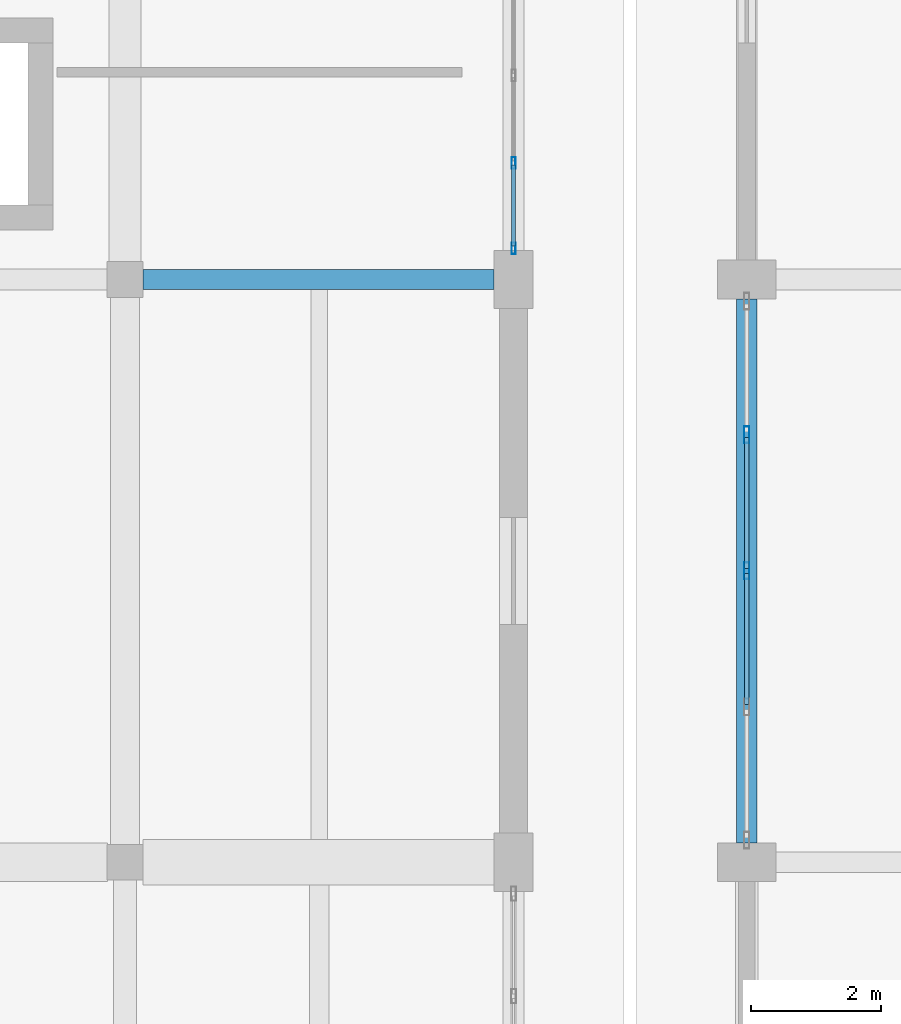
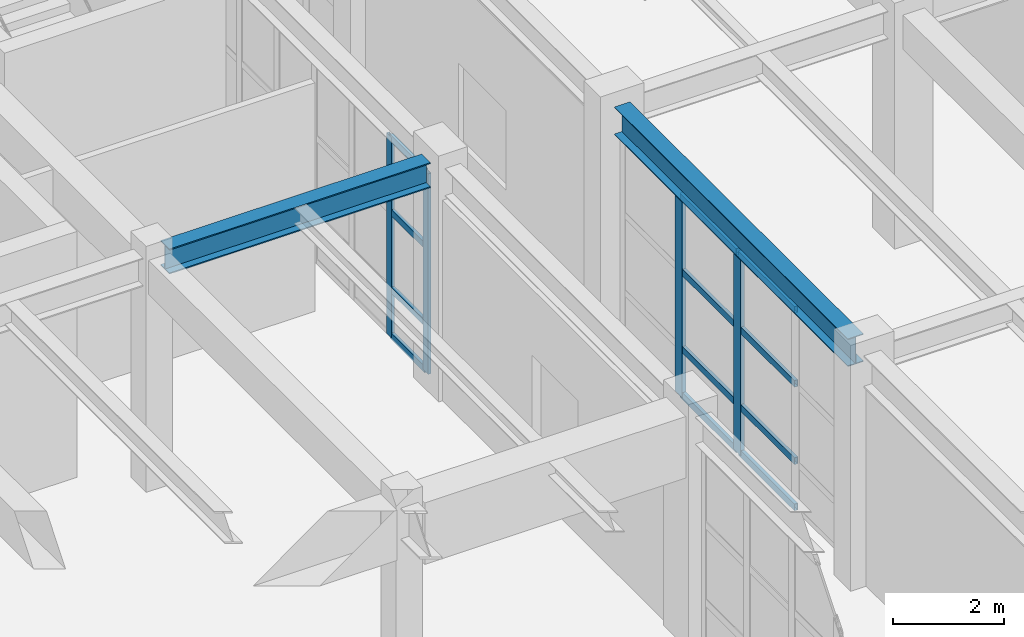
# One storey, part 13 of 91: 16 members, 2 beams, 2 elements without a shape of their own.
"""IFC4 building model written with IfcOpenShell, lengths in metres."""

from ifc_helpers import new_model, si_unit, direction, frame, origin, origin_2d, place, context, subcontext, project, spatial, hollow_rectangle, i_section, extrude, material, layer, layer_set, material_profile, profile_set, type_object, element, aggregate, save


model = new_model("IFC4")

# Units and contexts
model_context = context("Model", 3, precision=1e-05, world=origin(), true_north=direction((0.0, 1.0)))
body_context = subcontext(model_context, "Body", "Model", "MODEL_VIEW")
ifc_project = project(units=[si_unit("LENGTHUNIT", "METRE"), si_unit("AREAUNIT", "SQUARE_METRE"), si_unit("VOLUMEUNIT", "CUBIC_METRE"), si_unit("PLANEANGLEUNIT", "RADIAN"), si_unit("MASSUNIT", "GRAM", prefix="KILO")], contexts=[model_context])

# Site, building, storey
site_placement = place(None, origin())
site = spatial("IfcSite", under=ifc_project, at=site_placement, CompositionType="ELEMENT")
building_placement = place(site_placement, origin())
building = spatial("IfcBuilding", under=site, at=building_placement, Name="Vaelkrest Opera House", CompositionType="ELEMENT")
storey_placement = place(building_placement, origin())
storey = spatial("IfcBuildingStorey", under=building, at=storey_placement, Name="L00", CompositionType="ELEMENT", Elevation=0.0)

# Beam
ifc_material_1 = material(Name="Steel A992 Gr50", Category="steel")
ifc_material_profile_1 = material_profile(ifc_material_1, i_section(OverallWidth=0.31494140625, OverallDepth=0.551025390625, WebThickness=0.01513671875, FlangeThickness=0.0244140625, at=origin_2d()), Name="W21X122")
ifc_profile_set_1 = profile_set([ifc_material_profile_1], Name="Steel A992 Gr50")
beam_type_1 = type_object("IfcBeamType", Name="B20", PredefinedType="BEAM", material=ifc_profile_set_1)
beam_1_placement = place(storey_placement, frame((-39.324951171875, 1.199951171875, 4.804443359375), z_axis=(1.0, 0.0, 0.0), x_axis=(0.0, 1.0, 0.0)))
element("IfcBeam", 1, at=beam_1_placement, inside=storey, type_object=beam_type_1, Name="Beam BM-V3-L00-1396", PredefinedType="BEAM", context=body_context, shape_type="SweptSolid", body=[
    extrude(i_section(OverallWidth=0.31494140625, OverallDepth=0.551025390625, WebThickness=0.01513671875, FlangeThickness=0.0244140625, at=origin_2d()), origin(), (0.0, 0.0, 1.0), 5.425048828125),
])

# Curtain wall, members
ifc_material_2 = material(Name="Dark bronze anodized aluminium", Category="aluminium")
ifc_layer_1 = layer(ifc_material_2, 0.179931640625)
ifc_layer_set_1 = layer_set([ifc_layer_1], Name="Dark bronze anodized aluminium")
curtain_wall_type_1 = type_object("IfcCurtainWallType", Name="CW01", PredefinedType="NOTDEFINED", material=ifc_layer_set_1)
curtain_wall_1_placement = place(storey_placement, origin())
curtain_wall_1 = element("IfcCurtainWall", 2, at=curtain_wall_1_placement, inside=storey, type_object=curtain_wall_type_1, Name="Curtain wall CW-L00-097", PredefinedType="NOTDEFINED")
ifc_material_profile_2 = material_profile(ifc_material_2, hollow_rectangle(XDim=0.06494140625, YDim=0.179931640625, WallThickness=0.00390625, at=origin_2d()), Name="CWM65X180")
ifc_profile_set_2 = profile_set([ifc_material_profile_2], Name="Dark bronze anodized aluminium")
member_type_1 = type_object("IfcMemberType", Name="CWM01", PredefinedType="MULLION", material=ifc_profile_set_2)
member_1_placement = place(storey_placement, frame((-33.60009765625, 2.998779296875, 0.0), z_axis=(0.0, 0.0, 1.0), x_axis=(1.0, 0.0, 0.0)))
member_1 = element("IfcMember", 3, at=member_1_placement, type_object=member_type_1, Name="CW01 mullion 6", PredefinedType="MULLION", context=body_context, shape_type="SweptSolid", body=[
    extrude(hollow_rectangle(XDim=0.06494140625, YDim=0.179931640625, WallThickness=0.00390625, at=origin_2d()), origin(), (0.0, 0.0, 1.0), 4.404052734375),
])
member_2_placement = place(storey_placement, frame((-33.60009765625, 1.680419921875, 0.0), z_axis=(0.0, 0.0, 1.0), x_axis=(1.0, 0.0, 0.0)))
member_2 = element("IfcMember", 4, at=member_2_placement, type_object=member_type_1, Name="CW01 mullion 7", PredefinedType="MULLION", context=body_context, shape_type="SweptSolid", body=[
    extrude(hollow_rectangle(XDim=0.06494140625, YDim=0.179931640625, WallThickness=0.00390625, at=origin_2d()), origin(), (0.0, 0.0, 1.0), 4.404052734375),
])

ifc_layer_2 = layer(ifc_material_2, 0.25)
ifc_layer_set_2 = layer_set([ifc_layer_2], Name="Dark bronze anodized aluminium")
curtain_wall_type_2 = type_object("IfcCurtainWallType", Name="CW08", PredefinedType="NOTDEFINED", material=ifc_layer_set_2)
curtain_wall_2_placement = place(storey_placement, origin())
curtain_wall_2 = element("IfcCurtainWall", 5, at=curtain_wall_2_placement, inside=storey, type_object=curtain_wall_type_2, Name="Curtain wall CW-L00-015", PredefinedType="NOTDEFINED")
ifc_material_profile_3 = material_profile(ifc_material_2, hollow_rectangle(XDim=0.080078125, YDim=0.260009765625, WallThickness=0.0048828125, at=origin_2d()), Name="CWM80X260")
ifc_profile_set_3 = profile_set([ifc_material_profile_3], Name="Dark bronze anodized aluminium")
member_type_2 = type_object("IfcMemberType", Name="CWM04", PredefinedType="MULLION", material=ifc_profile_set_3)
member_3_placement = place(storey_placement, frame((-30.0, -3.300048828125, 0.0), z_axis=(0.0, 0.0, 1.0), x_axis=(-1.0, 0.0, 0.0)))
member_3 = element("IfcMember", 6, at=member_3_placement, type_object=member_type_2, Name="CW08 mullion 3", PredefinedType="MULLION", context=body_context, shape_type="SweptSolid", body=[
    extrude(hollow_rectangle(XDim=0.080078125, YDim=0.260009765625, WallThickness=0.0048828125, at=origin_2d()), origin(), (0.0, 0.0, 1.0), 4.404052734375),
])
member_4_placement = place(storey_placement, frame((-30.0, -1.198974609375, 0.0), z_axis=(0.0, 0.0, 1.0), x_axis=(-1.0, 0.0, 0.0)))
member_4 = element("IfcMember", 7, at=member_4_placement, type_object=member_type_2, Name="CW08 mullion 4", PredefinedType="MULLION", context=body_context, shape_type="SweptSolid", body=[
    extrude(hollow_rectangle(XDim=0.080078125, YDim=0.260009765625, WallThickness=0.0048828125, at=origin_2d()), origin(), (0.0, 0.0, 1.0), 4.404052734375),
])

# Member
ifc_material_profile_4 = material_profile(ifc_material_2, hollow_rectangle(XDim=0.06494140625, YDim=0.139892578125, WallThickness=0.00390625, at=origin_2d()), Name="CWT65X140")
ifc_profile_set_4 = profile_set([ifc_material_profile_4], Name="Dark bronze anodized aluminium")
member_type_3 = type_object("IfcMemberType", Name="CWT01", PredefinedType="USERDEFINED", material=ifc_profile_set_4)
member_5_placement = place(storey_placement, frame((-33.60009765625, 2.966064453125, 0.032470703125), z_axis=(0.0, -1.0, 0.0), x_axis=(1.0, 0.0, 0.0)))
member_5 = element("IfcMember", 8, at=member_5_placement, type_object=member_type_3, Name="CW01 transom 6.1", ObjectType="TRANSOM", PredefinedType="USERDEFINED", context=body_context, shape_type="SweptSolid", body=[
    extrude(hollow_rectangle(XDim=0.06494140625, YDim=0.139892578125, WallThickness=0.00390625, at=origin_2d()), origin(), (0.0, 0.0, 1.0), 1.253173828125),
])

member_6_placement = place(storey_placement, frame((-33.60009765625, 2.966064453125, 1.050048828125), z_axis=(0.0, -1.0, 0.0), x_axis=(1.0, 0.0, 0.0)))
member_6 = element("IfcMember", 9, at=member_6_placement, type_object=member_type_3, Name="CW01 transom 6.2", ObjectType="TRANSOM", PredefinedType="USERDEFINED", context=body_context, shape_type="SweptSolid", body=[
    extrude(hollow_rectangle(XDim=0.06494140625, YDim=0.139892578125, WallThickness=0.00390625, at=origin_2d()), origin(), (0.0, 0.0, 1.0), 1.253173828125),
])

member_7_placement = place(storey_placement, frame((-33.60009765625, 2.966064453125, 2.75), z_axis=(0.0, -1.0, 0.0), x_axis=(1.0, 0.0, 0.0)))
member_7 = element("IfcMember", 10, at=member_7_placement, type_object=member_type_3, Name="CW01 transom 6.3", ObjectType="TRANSOM", PredefinedType="USERDEFINED", context=body_context, shape_type="SweptSolid", body=[
    extrude(hollow_rectangle(XDim=0.06494140625, YDim=0.139892578125, WallThickness=0.00390625, at=origin_2d()), origin(), (0.0, 0.0, 1.0), 1.253173828125),
])

member_8_placement = place(storey_placement, frame((-33.60009765625, 2.966064453125, 4.37158203125), z_axis=(0.0, -1.0, 0.0), x_axis=(1.0, 0.0, 0.0)))
member_8 = element("IfcMember", 11, at=member_8_placement, type_object=member_type_3, Name="CW01 transom 6.4", ObjectType="TRANSOM", PredefinedType="USERDEFINED", context=body_context, shape_type="SweptSolid", body=[
    extrude(hollow_rectangle(XDim=0.06494140625, YDim=0.139892578125, WallThickness=0.00390625, at=origin_2d()), origin(), (0.0, 0.0, 1.0), 1.253173828125),
])

aggregate(curtain_wall_1, [member_1, member_2, member_5, member_6, member_7, member_8])

ifc_material_profile_5 = material_profile(ifc_material_2, hollow_rectangle(XDim=0.070068359375, YDim=0.14990234375, WallThickness=0.004150390625, at=origin_2d()), Name="CWT70X150")
ifc_profile_set_5 = profile_set([ifc_material_profile_5], Name="Dark bronze anodized aluminium")
member_type_4 = type_object("IfcMemberType", Name="CWT02", PredefinedType="USERDEFINED", material=ifc_profile_set_5)
member_9_placement = place(storey_placement, frame((-30.0, -5.361083984375, 0.034912109375), z_axis=(0.0, 1.0, 0.0), x_axis=(-1.0, 0.0, 0.0)))
member_9 = element("IfcMember", 12, at=member_9_placement, type_object=member_type_4, Name="CW08 transom 2.1", ObjectType="TRANSOM", PredefinedType="USERDEFINED", context=body_context, shape_type="SweptSolid", body=[
    extrude(hollow_rectangle(XDim=0.070068359375, YDim=0.14990234375, WallThickness=0.004150390625, at=origin_2d()), origin(), (0.0, 0.0, 1.0), 2.02099609375),
])

member_10_placement = place(storey_placement, frame((-30.0, -5.361083984375, 1.050048828125), z_axis=(0.0, 1.0, 0.0), x_axis=(-1.0, 0.0, 0.0)))
member_10 = element("IfcMember", 13, at=member_10_placement, type_object=member_type_4, Name="CW08 transom 2.2", ObjectType="TRANSOM", PredefinedType="USERDEFINED", context=body_context, shape_type="SweptSolid", body=[
    extrude(hollow_rectangle(XDim=0.070068359375, YDim=0.14990234375, WallThickness=0.004150390625, at=origin_2d()), origin(), (0.0, 0.0, 1.0), 2.02099609375),
])

member_11_placement = place(storey_placement, frame((-30.0, -5.361083984375, 2.75), z_axis=(0.0, 1.0, 0.0), x_axis=(-1.0, 0.0, 0.0)))
member_11 = element("IfcMember", 14, at=member_11_placement, type_object=member_type_4, Name="CW08 transom 2.3", ObjectType="TRANSOM", PredefinedType="USERDEFINED", context=body_context, shape_type="SweptSolid", body=[
    extrude(hollow_rectangle(XDim=0.070068359375, YDim=0.14990234375, WallThickness=0.004150390625, at=origin_2d()), origin(), (0.0, 0.0, 1.0), 2.02099609375),
])

member_12_placement = place(storey_placement, frame((-30.0, -5.361083984375, 4.368896484375), z_axis=(0.0, 1.0, 0.0), x_axis=(-1.0, 0.0, 0.0)))
member_12 = element("IfcMember", 15, at=member_12_placement, type_object=member_type_4, Name="CW08 transom 2.4", ObjectType="TRANSOM", PredefinedType="USERDEFINED", context=body_context, shape_type="SweptSolid", body=[
    extrude(hollow_rectangle(XDim=0.070068359375, YDim=0.14990234375, WallThickness=0.004150390625, at=origin_2d()), origin(), (0.0, 0.0, 1.0), 2.02099609375),
])

member_13_placement = place(storey_placement, frame((-30.0, -3.260009765625, 0.034912109375), z_axis=(0.0, 1.0, 0.0), x_axis=(-1.0, 0.0, 0.0)))
member_13 = element("IfcMember", 16, at=member_13_placement, type_object=member_type_4, Name="CW08 transom 3.1", ObjectType="TRANSOM", PredefinedType="USERDEFINED", context=body_context, shape_type="SweptSolid", body=[
    extrude(hollow_rectangle(XDim=0.070068359375, YDim=0.14990234375, WallThickness=0.004150390625, at=origin_2d()), origin(), (0.0, 0.0, 1.0), 2.02099609375),
])

member_14_placement = place(storey_placement, frame((-30.0, -3.260009765625, 1.050048828125), z_axis=(0.0, 1.0, 0.0), x_axis=(-1.0, 0.0, 0.0)))
member_14 = element("IfcMember", 17, at=member_14_placement, type_object=member_type_4, Name="CW08 transom 3.2", ObjectType="TRANSOM", PredefinedType="USERDEFINED", context=body_context, shape_type="SweptSolid", body=[
    extrude(hollow_rectangle(XDim=0.070068359375, YDim=0.14990234375, WallThickness=0.004150390625, at=origin_2d()), origin(), (0.0, 0.0, 1.0), 2.02099609375),
])

member_15_placement = place(storey_placement, frame((-30.0, -3.260009765625, 2.75), z_axis=(0.0, 1.0, 0.0), x_axis=(-1.0, 0.0, 0.0)))
member_15 = element("IfcMember", 18, at=member_15_placement, type_object=member_type_4, Name="CW08 transom 3.3", ObjectType="TRANSOM", PredefinedType="USERDEFINED", context=body_context, shape_type="SweptSolid", body=[
    extrude(hollow_rectangle(XDim=0.070068359375, YDim=0.14990234375, WallThickness=0.004150390625, at=origin_2d()), origin(), (0.0, 0.0, 1.0), 2.02099609375),
])

member_16_placement = place(storey_placement, frame((-30.0, -3.260009765625, 4.368896484375), z_axis=(0.0, 1.0, 0.0), x_axis=(-1.0, 0.0, 0.0)))
member_16 = element("IfcMember", 19, at=member_16_placement, type_object=member_type_4, Name="CW08 transom 3.4", ObjectType="TRANSOM", PredefinedType="USERDEFINED", context=body_context, shape_type="SweptSolid", body=[
    extrude(hollow_rectangle(XDim=0.070068359375, YDim=0.14990234375, WallThickness=0.004150390625, at=origin_2d()), origin(), (0.0, 0.0, 1.0), 2.02099609375),
])

aggregate(curtain_wall_2, [member_3, member_4, member_9, member_10, member_11, member_12, member_13, member_14, member_15, member_16])

# Beam
ifc_material_profile_6 = material_profile(ifc_material_1, i_section(OverallWidth=0.323974609375, OverallDepth=0.611083984375, WebThickness=0.0126953125, FlangeThickness=0.01904296875, at=origin_2d()), Name="W24X104")
ifc_profile_set_6 = profile_set([ifc_material_profile_6], Name="Steel A992 Gr50")
beam_type_2 = type_object("IfcBeamType", Name="SP01", PredefinedType="SPANDREL", material=ifc_profile_set_6)
beam_2_placement = place(storey_placement, frame((-30.0, -7.5, 4.7744140625), z_axis=(0.0, 1.0, 0.0), x_axis=(-1.0, 0.0, 0.0)))
element("IfcBeam", 20, at=beam_2_placement, inside=storey, type_object=beam_type_2, Name="Beam BM-V1-L00-0146", PredefinedType="SPANDREL", context=body_context, shape_type="SweptSolid", body=[
    extrude(i_section(OverallWidth=0.323974609375, OverallDepth=0.611083984375, WebThickness=0.0126953125, FlangeThickness=0.01904296875, at=origin_2d()), origin(), (0.0, 0.0, 1.0), 8.39990234375),
])

save(model, "model.ifc")
